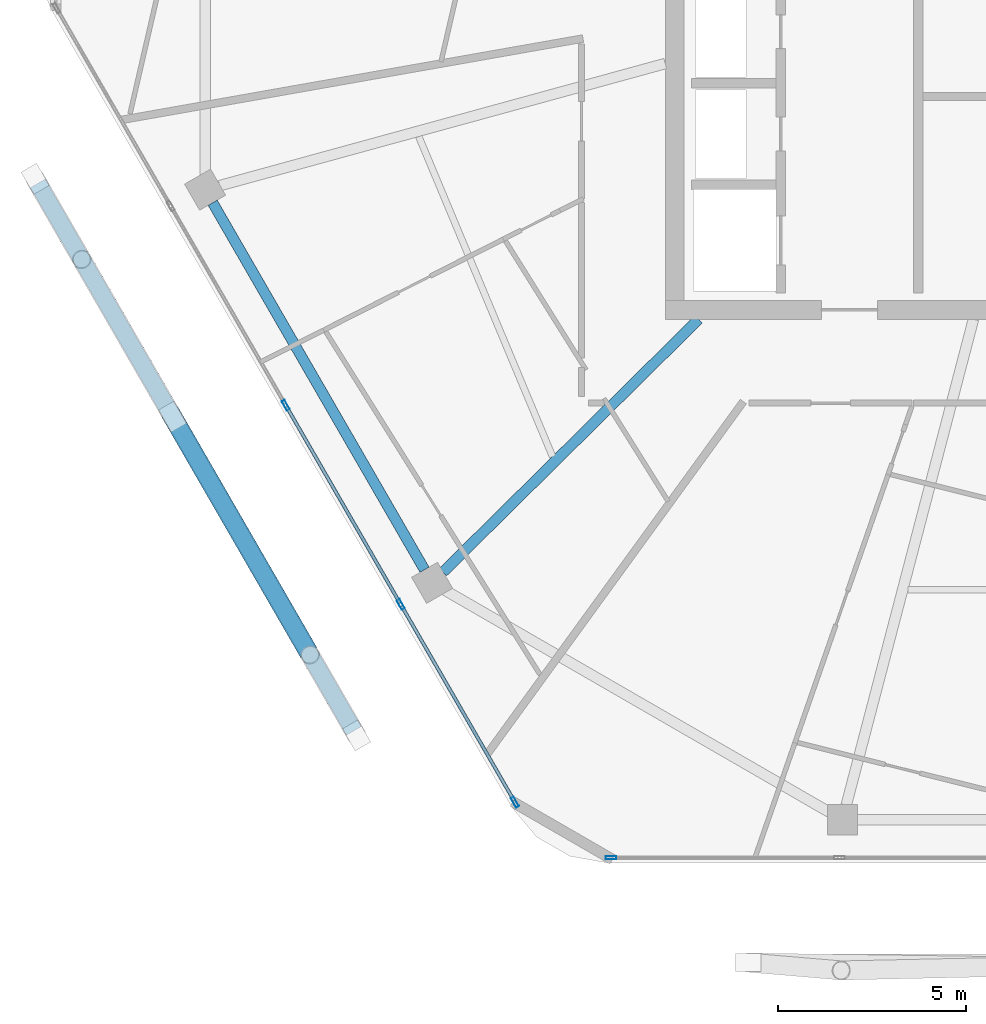
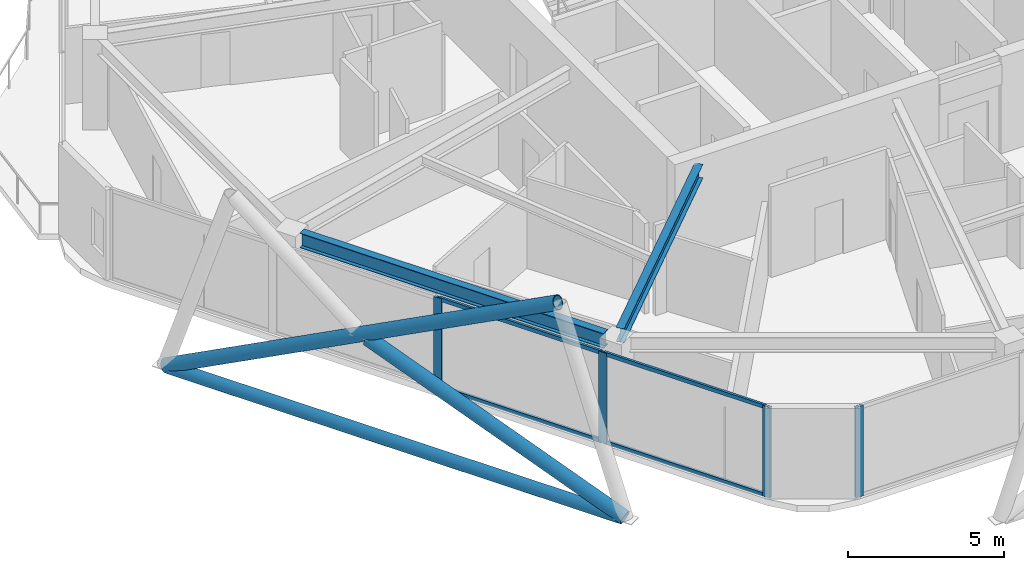
# One storey, part 2 of 23: 11 members, 2 beams, 2 elements without a shape of their own.
"""IFC4 building model written with IfcOpenShell, lengths in metres."""

from ifc_helpers import new_model, si_unit, direction, frame, origin, origin_2d, place, context, subcontext, project, spatial, hollow_rectangle, hollow_circle, i_section, extrude, material, material_profile, profile_set, type_object, element, aggregate, save


model = new_model("IFC4")

# Units and contexts
model_context = context("Model", 3, precision=1e-05, world=origin(), true_north=direction((0.0, 1.0)))
body_context = subcontext(model_context, "Body", "Model", "MODEL_VIEW")
ifc_project = project(units=[si_unit("LENGTHUNIT", "METRE"), si_unit("AREAUNIT", "SQUARE_METRE"), si_unit("VOLUMEUNIT", "CUBIC_METRE"), si_unit("PLANEANGLEUNIT", "RADIAN"), si_unit("MASSUNIT", "GRAM", prefix="KILO")], contexts=[model_context])

# Site, building, storey
site_placement = place(None, origin())
site = spatial("IfcSite", under=ifc_project, at=site_placement, CompositionType="ELEMENT")
building_placement = place(site_placement, origin())
building = spatial("IfcBuilding", under=site, at=building_placement, Name="Zuhravey Tower", CompositionType="ELEMENT")
storey_placement = place(building_placement, frame((0.0, 0.0, 315.800048828125)))
storey = spatial("IfcBuildingStorey", under=building, at=storey_placement, Name="L80", CompositionType="ELEMENT", Elevation=315.800048828125)

# Curtain wall, member
ifc_material_1 = material(Name="Thermally broken anodised aluminium", Category="aluminium")
curtain_wall_type = type_object("IfcCurtainWallType", Name="Zone 3-4 High-Rise Curtain Wall CW4", PredefinedType="NOTDEFINED", material=ifc_material_1)
curtain_wall_1_placement = place(storey_placement, origin())
curtain_wall_1 = element("IfcCurtainWall", 1, at=curtain_wall_1_placement, inside=storey, type_object=curtain_wall_type, Name="L80 CW4 CW-L80-F5-1", PredefinedType="NOTDEFINED")
ifc_material_2 = material(Name="Anodised aluminium", Category="aluminium")
ifc_material_profile_1 = material_profile(ifc_material_2, hollow_rectangle(XDim=0.090087890625, YDim=0.284912109375, WallThickness=0.0048828125, at=origin_2d()), Name="ALU-RHS-90x285x5")
ifc_profile_set_1 = profile_set([ifc_material_profile_1], Name="Anodised aluminium")
member_type_1 = type_object("IfcMemberType", Name="Curtain-Wall Mullion 90x180", PredefinedType="MULLION", material=ifc_profile_set_1)
member_1_placement = place(storey_placement, frame((23.8056640625, 7.92578125, 0.0), z_axis=(0.0, 0.0, 1.0), x_axis=(0.0, -1.0, 0.0)))
member_1 = element("IfcMember", 2, at=member_1_placement, type_object=member_type_1, Name="CW4 mullion 5", PredefinedType="MULLION", context=body_context, shape_type="SweptSolid", body=[
    extrude(hollow_rectangle(XDim=0.090087890625, YDim=0.284912109375, WallThickness=0.0048828125, at=origin_2d()), origin(), (0.0, 0.0, 1.0), 3.550048828125),
])
aggregate(curtain_wall_1, [member_1])

# Curtain wall, members
curtain_wall_2_placement = place(storey_placement, origin())
curtain_wall_2 = element("IfcCurtainWall", 3, at=curtain_wall_2_placement, inside=storey, type_object=curtain_wall_type, Name="L80 CW4 CW-L80-F4-1", PredefinedType="NOTDEFINED")
member_2_placement = place(storey_placement, frame((21.248291015625, 9.40234375, 0.0), z_axis=(0.0, 0.0, 1.0), x_axis=(-0.866025511541, -0.49999981336, 0.0)))
member_2 = element("IfcMember", 4, at=member_2_placement, type_object=member_type_1, Name="CW4 mullion 1", PredefinedType="MULLION", context=body_context, shape_type="SweptSolid", body=[
    extrude(hollow_rectangle(XDim=0.090087890625, YDim=0.284912109375, WallThickness=0.0048828125, at=origin_2d()), origin(), (0.0, 0.0, 1.0), 3.550048828125),
])
member_3_placement = place(storey_placement, frame((18.211181640625, 14.6630859375, 0.0), z_axis=(0.0, 0.0, 1.0), x_axis=(-0.866025511541, -0.49999981336, 0.0)))
member_3 = element("IfcMember", 5, at=member_3_placement, type_object=member_type_1, Name="CW4 mullion 2", PredefinedType="MULLION", context=body_context, shape_type="SweptSolid", body=[
    extrude(hollow_rectangle(XDim=0.090087890625, YDim=0.284912109375, WallThickness=0.0048828125, at=origin_2d()), origin(), (0.0, 0.0, 1.0), 3.550048828125),
])
member_4_placement = place(storey_placement, frame((15.1513671875, 19.962890625, 0.0), z_axis=(0.0, 0.0, 1.0), x_axis=(-0.866025511541, -0.49999981336, 0.0)))
member_4 = element("IfcMember", 6, at=member_4_placement, type_object=member_type_1, Name="CW4 mullion 3", PredefinedType="MULLION", context=body_context, shape_type="SweptSolid", body=[
    extrude(hollow_rectangle(XDim=0.090087890625, YDim=0.284912109375, WallThickness=0.0048828125, at=origin_2d()), origin(), (0.0, 0.0, 1.0), 3.550048828125),
])
ifc_material_profile_2 = material_profile(ifc_material_2, hollow_rectangle(XDim=0.090087890625, YDim=0.14990234375, WallThickness=0.0048828125, at=origin_2d()), Name="ALU-RHS-90x150x5")
ifc_profile_set_2 = profile_set([ifc_material_profile_2], Name="Anodised aluminium")
member_type_2 = type_object("IfcMemberType", Name="Curtain-Wall Transom 90x150", PredefinedType="USERDEFINED", material=ifc_profile_set_2)
member_5_placement = place(storey_placement, frame((21.225830078125, 9.44140625, 0.044921875), z_axis=(-0.499982594807, 0.866035452444, 0.0), x_axis=(-0.866035452444, -0.499982594807, 0.0)))
member_5 = element("IfcMember", 7, at=member_5_placement, type_object=member_type_2, Name="CW4 transom 1.1", ObjectType="TRANSOM", PredefinedType="USERDEFINED", context=body_context, shape_type="SweptSolid", body=[
    extrude(hollow_rectangle(XDim=0.090087890625, YDim=0.14990234375, WallThickness=0.0048828125, at=origin_2d()), origin(), (0.0, 0.0, 1.0), 5.984619140625),
])
member_6_placement = place(storey_placement, frame((21.225830078125, 9.44140625, 3.5048828125), z_axis=(-0.499982594807, 0.866035452444, 0.0), x_axis=(-0.866035452444, -0.499982594807, 0.0)))
member_6 = element("IfcMember", 8, at=member_6_placement, type_object=member_type_2, Name="CW4 transom 1.2", ObjectType="TRANSOM", PredefinedType="USERDEFINED", context=body_context, shape_type="SweptSolid", body=[
    extrude(hollow_rectangle(XDim=0.090087890625, YDim=0.14990234375, WallThickness=0.0048828125, at=origin_2d()), origin(), (0.0, 0.0, 1.0), 5.984619140625),
])
member_7_placement = place(storey_placement, frame((18.1884765625, 14.7021484375, 0.044921875), z_axis=(-0.499971305196, 0.866041970103, 0.0), x_axis=(-0.866041970103, -0.499971305196, 0.0)))
member_7 = element("IfcMember", 9, at=member_7_placement, type_object=member_type_2, Name="CW4 transom 2.1", ObjectType="TRANSOM", PredefinedType="USERDEFINED", context=body_context, shape_type="SweptSolid", body=[
    extrude(hollow_rectangle(XDim=0.090087890625, YDim=0.14990234375, WallThickness=0.0048828125, at=origin_2d()), origin(), (0.0, 0.0, 1.0), 6.029541015625),
])
member_8_placement = place(storey_placement, frame((18.1884765625, 14.7021484375, 3.5048828125), z_axis=(-0.499971305196, 0.866041970103, 0.0), x_axis=(-0.866041970103, -0.499971305196, 0.0)))
member_8 = element("IfcMember", 10, at=member_8_placement, type_object=member_type_2, Name="CW4 transom 2.2", ObjectType="TRANSOM", PredefinedType="USERDEFINED", context=body_context, shape_type="SweptSolid", body=[
    extrude(hollow_rectangle(XDim=0.090087890625, YDim=0.14990234375, WallThickness=0.0048828125, at=origin_2d()), origin(), (0.0, 0.0, 1.0), 6.029541015625),
])
aggregate(curtain_wall_2, [member_2, member_3, member_4, member_5, member_6, member_7, member_8])

# Members
ifc_material_3 = material(Name="Steel SM355", Category="steel")
ifc_material_profile_3 = material_profile(ifc_material_3, hollow_circle(Radius=0.228515625, WallThickness=0.02197265625, at=origin_2d()), Name="CHS-457.2x22")
ifc_profile_set_3 = profile_set([ifc_material_profile_3], Name="Steel SM355")
member_type_3 = type_object("IfcMemberType", Name="Exoskeleton Ring Tie CHS457x22", PredefinedType="CHORD", material=ifc_profile_set_3)
member_9_placement = place(storey_placement, frame((8.556396484375, 25.86572265625, -0.464111328125), z_axis=(0.499996794797, -0.866027254301, 0.0), x_axis=(0.866027254301, 0.499996794797, 0.0)))
element("IfcMember", 11, at=member_9_placement, inside=storey, type_object=member_type_3, Name="L80 Exoskeleton Face 4 Tie EXR1", PredefinedType="CHORD", context=body_context, shape_type="SweptSolid", body=[
    extrude(hollow_circle(Radius=0.228515625, WallThickness=0.02197265625, at=origin_2d()), origin(), (0.0, 0.0, 1.0), 16.81884765625),
])
ifc_material_profile_4 = material_profile(ifc_material_3, hollow_circle(Radius=0.25390625, WallThickness=0.02490234375, at=origin_2d()), Name="CHS-508.0x25")
ifc_profile_set_4 = profile_set([ifc_material_profile_4], Name="Steel SM355")
member_type_4 = type_object("IfcMemberType", Name="Exoskeleton Zone 4 Diagrid CHS508x25", PredefinedType="BRACE", material=ifc_profile_set_4)
member_10_placement = place(storey_placement, frame((8.501708984375, 25.96044921875, -0.447998046875), z_axis=(0.443612052224, -0.768377922118, 0.461306531411), x_axis=(0.866030844425, 0.499990576415, 0.0)))
element("IfcMember", 12, at=member_10_placement, inside=storey, type_object=member_type_4, Name="L80 Face 4 Diagrid Brace 2", PredefinedType="BRACE", context=body_context, shape_type="SweptSolid", body=[
    extrude(hollow_circle(Radius=0.25390625, WallThickness=0.02490234375, at=origin_2d()), origin(), (0.0, 0.0, 1.0), 16.4052734375),
])
member_11_placement = place(storey_placement, frame((17.01953125, 11.206787109375, -0.451416015625), z_axis=(-0.466124123637, 0.807353059681, 0.361813955491), x_axis=(-0.866026046022, -0.49999888761, 0.0)))
element("IfcMember", 13, at=member_11_placement, inside=storey, type_object=member_type_4, Name="L80 Face 4 Split Diagrid Brace 3A", PredefinedType="BRACE", context=body_context, shape_type="SweptSolid", body=[
    extrude(hollow_circle(Radius=0.25390625, WallThickness=0.02490234375, at=origin_2d()), origin(), (0.0, 0.0, 1.0), 10.223388671875),
])

# Beams
ifc_material_profile_5 = material_profile(ifc_material_3, i_section(OverallWidth=0.280029296875, OverallDepth=0.580078125, WebThickness=0.011962890625, FlangeThickness=0.01904296875, at=origin_2d()), Name="H-580x280x12x19")
ifc_profile_set_5 = profile_set([ifc_material_profile_5], Name="Steel SM355")
beam_type_1 = type_object("IfcBeamType", Name="Perimeter Ring Beam H580x280", PredefinedType="BEAM", material=ifc_profile_set_5)
beam_1_placement = place(storey_placement, frame((13.2080078125, 25.3486328125, 3.260009765625), z_axis=(0.500006198144, -0.866021825255, 0.0), x_axis=(0.866021825255, 0.500006198144, 0.0)))
element("IfcBeam", 14, at=beam_1_placement, inside=storey, type_object=beam_type_1, Name="L80 PB4 BM-L80-PB-07", PredefinedType="BEAM", context=body_context, shape_type="SweptSolid", body=[
    extrude(i_section(OverallWidth=0.280029296875, OverallDepth=0.580078125, WebThickness=0.011962890625, FlangeThickness=0.01904296875, at=origin_2d()), origin(), (0.0, 0.0, 1.0), 11.271240234375),
])
ifc_material_profile_6 = material_profile(ifc_material_3, i_section(OverallWidth=0.280029296875, OverallDepth=0.550048828125, WebThickness=0.010986328125, FlangeThickness=0.01806640625, at=origin_2d()), Name="H-550x280x11x18")
ifc_profile_set_6 = profile_set([ifc_material_profile_6], Name="Steel SM355")
beam_type_2 = type_object("IfcBeamType", Name="Radial Primary Girder H550x280", PredefinedType="BEAM", material=ifc_profile_set_6)
beam_2_placement = place(storey_placement, frame((26.134765625, 22.2470703125, 3.27490234375), z_axis=(-0.711153035666, -0.703037239314, 0.0), x_axis=(0.703037239314, -0.711153035666, 0.0)))
element("IfcBeam", 15, at=beam_2_placement, inside=storey, type_object=beam_type_2, Name="L80 RG4 BM-L80-RAD-08", PredefinedType="BEAM", context=body_context, shape_type="SweptSolid", body=[
    extrude(i_section(OverallWidth=0.280029296875, OverallDepth=0.550048828125, WebThickness=0.010986328125, FlangeThickness=0.01806640625, at=origin_2d()), origin(), (0.0, 0.0, 1.0), 9.566162109375),
])

save(model, "model.ifc")
